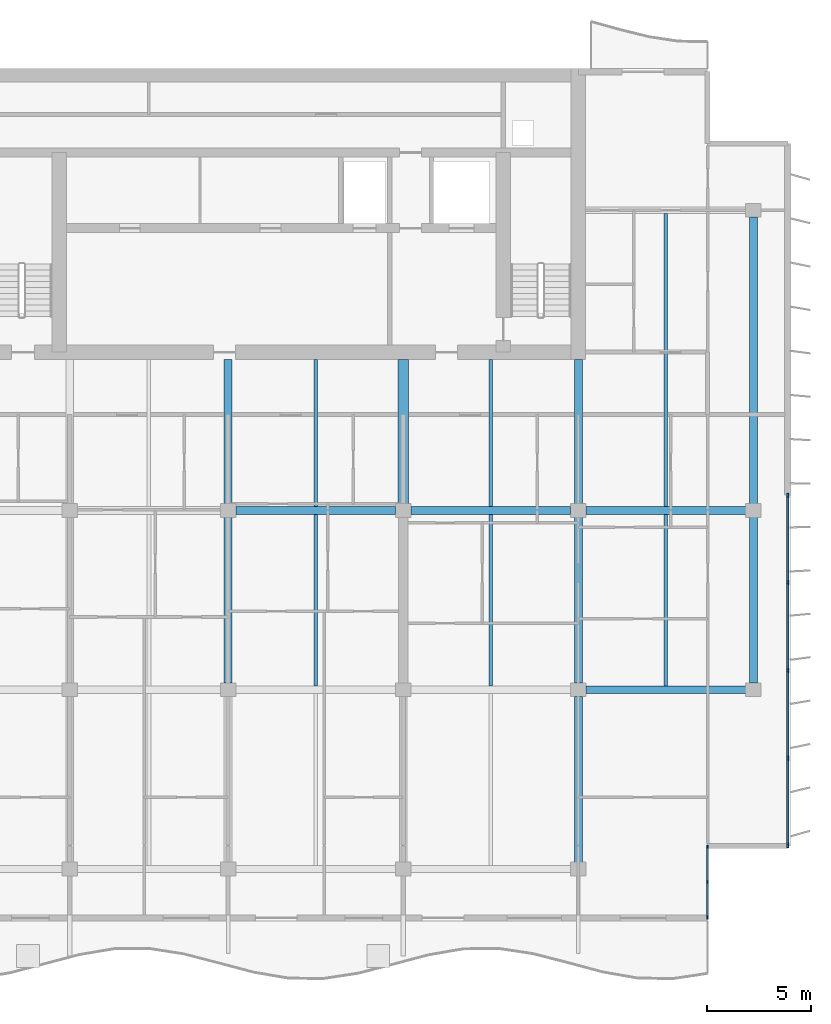
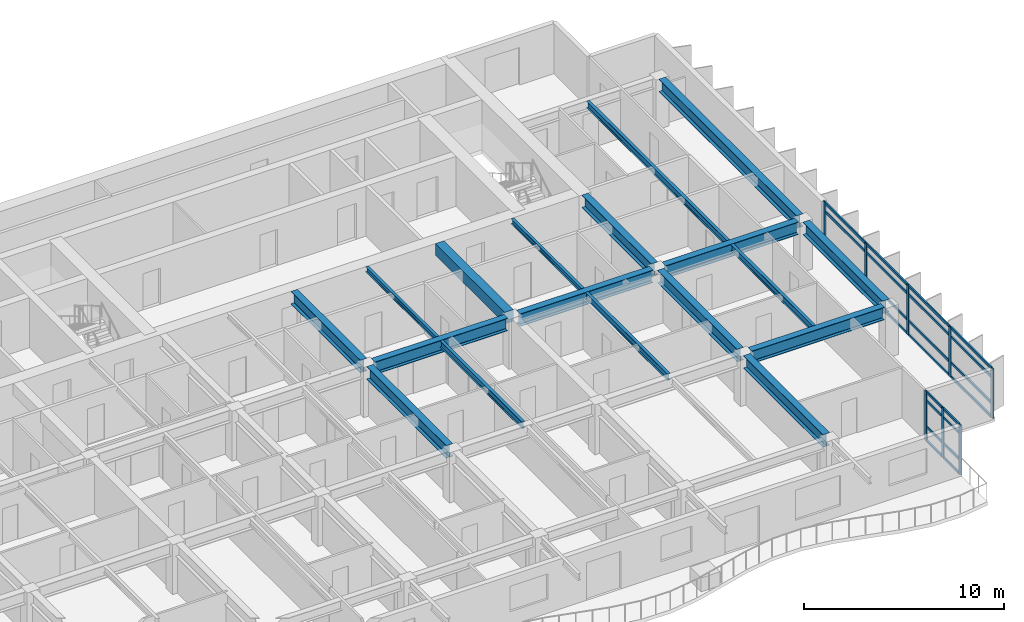
# One storey, part 4 of 16: 32 members, 18 beams, 2 elements without a shape of their own.
"""IFC4 building model written with IfcOpenShell, lengths in metres."""

from ifc_helpers import new_model, si_unit, direction, frame, origin, origin_2d, place, context, subcontext, project, spatial, rectangle, i_section, extrude, material, layer, layer_set, material_profile, profile_set, type_object, element, aggregate, save


model = new_model("IFC4")

# Units and contexts
model_context = context("Model", 3, precision=1e-05, world=origin(), true_north=direction((0.0, 1.0)))
body_context = subcontext(model_context, "Body", "Model", "MODEL_VIEW")
ifc_project = project(units=[si_unit("LENGTHUNIT", "METRE"), si_unit("AREAUNIT", "SQUARE_METRE"), si_unit("VOLUMEUNIT", "CUBIC_METRE"), si_unit("PLANEANGLEUNIT", "RADIAN"), si_unit("MASSUNIT", "GRAM", prefix="KILO")], contexts=[model_context])

# Site, building, storey
site_placement = place(None, origin())
site = spatial("IfcSite", under=ifc_project, at=site_placement, CompositionType="ELEMENT")
building_placement = place(site_placement, origin())
building = spatial("IfcBuilding", under=site, at=building_placement, Name="Caelmar Bay Residences", CompositionType="ELEMENT")
storey_placement = place(building_placement, frame((0.0, 0.0, 239.699951171875)))
storey = spatial("IfcBuildingStorey", under=building, at=storey_placement, Name="L67", CompositionType="ELEMENT", Elevation=239.699951171875)

# Beams
ifc_material_1 = material(Name="Steel ASTM A992 Grade 50", Category="steel")
ifc_material_profile_1 = material_profile(ifc_material_1, i_section(OverallWidth=0.177978515625, OverallDepth=0.406005859375, WebThickness=0.0078125, FlangeThickness=0.0126953125, FilletRadius=0.0087890625, at=origin_2d()), Name="W16X40")
ifc_profile_set_1 = profile_set([ifc_material_profile_1], Name="Steel ASTM A992 Grade 50")
beam_type_1 = type_object("IfcBeamType", Name="BM-BAL-W16X40", PredefinedType="JOIST", material=ifc_profile_set_1)
for number, where, z_axis, x_axis, name in (
    (1, (46.89990234375, 20.990478515625, 2.84716796875), (0.0, 1.0, 0.0), (-1.0, 0.0, 0.0), "L67 Composite Floor Joist 10"),
    (2, (55.300048828125, 20.990478515625, 2.84716796875), (0.0, 1.0, 0.0), (-1.0, 0.0, 0.0), "L67 Composite Floor Joist 11"),
    (3, (63.699951171875, 20.990478515625, 2.84716796875), (0.0, 1.0, 0.0), (-1.0, 0.0, 0.0), "L67 Composite Floor Joist 12"),
):
    element("IfcBeam", number, at=place(storey_placement, frame(where, z_axis=z_axis, x_axis=x_axis)), inside=storey, type_object=beam_type_1, Name=name, PredefinedType="JOIST", context=body_context, shape_type="SweptSolid", body=[
        extrude(i_section(OverallWidth=0.177978515625, OverallDepth=0.406005859375, WebThickness=0.0078125, FlangeThickness=0.0126953125, FilletRadius=0.0087890625, at=origin_2d()), origin(), (0.0, 0.0, 1.0), 8.218994140625),
    ])
beam_1_placement = place(storey_placement, frame((63.699951171875, 29.590576171875, 2.84716796875), z_axis=(0.0, 1.0, 0.0), x_axis=(-1.0, 0.0, 0.0)))
element("IfcBeam", 4, at=beam_1_placement, inside=storey, type_object=beam_type_1, Name="L67 Composite Floor Joist 19", PredefinedType="JOIST", context=body_context, shape_type="SweptSolid", body=[
    extrude(i_section(OverallWidth=0.177978515625, OverallDepth=0.406005859375, WebThickness=0.0078125, FlangeThickness=0.0126953125, FilletRadius=0.0087890625, at=origin_2d()), origin(), (0.0, 0.0, 1.0), 14.046875),
])
ifc_material_profile_2 = material_profile(ifc_material_1, i_section(OverallWidth=0.381103515625, OverallDepth=0.77197265625, WebThickness=0.0166015625, FlangeThickness=0.027099609375, FilletRadius=0.0166015625, at=origin_2d()), Name="W30X173")
ifc_profile_set_2 = profile_set([ifc_material_profile_2], Name="Steel ASTM A992 Grade 50")
beam_type_2 = type_object("IfcBeamType", Name="BM-GRD-W30X173", PredefinedType="BEAM", material=ifc_profile_set_2)
beam_2_placement = place(storey_placement, frame((59.864990234375, 20.800048828125, 2.6640625), z_axis=(1.0, 0.0, 0.0), x_axis=(0.0, 1.0, 0.0)))
element("IfcBeam", 5, at=beam_2_placement, inside=storey, type_object=beam_type_2, Name="L67 East-West Girder Y=20.80 (59.5-67.9)", PredefinedType="BEAM", context=body_context, shape_type="SweptSolid", body=[
    extrude(i_section(OverallWidth=0.381103515625, OverallDepth=0.77197265625, WebThickness=0.0166015625, FlangeThickness=0.027099609375, FilletRadius=0.0166015625, at=origin_2d()), origin(), (0.0, 0.0, 1.0), 7.669921875),
])
beam_3_placement = place(storey_placement, frame((43.06494140625, 29.39990234375, 2.6640625), z_axis=(1.0, 0.0, 0.0), x_axis=(0.0, 1.0, 0.0)))
element("IfcBeam", 6, at=beam_3_placement, inside=storey, type_object=beam_type_2, Name="L67 East-West Girder Y=29.40 (42.7-51.1)", PredefinedType="BEAM", context=body_context, shape_type="SweptSolid", body=[
    extrude(i_section(OverallWidth=0.381103515625, OverallDepth=0.77197265625, WebThickness=0.0166015625, FlangeThickness=0.027099609375, FilletRadius=0.0166015625, at=origin_2d()), origin(), (0.0, 0.0, 1.0), 7.670166015625),
])
for number, where, z_axis, x_axis, name in (
    (7, (51.465087890625, 29.39990234375, 2.6640625), (1.0, 0.0, 0.0), (0.0, 1.0, 0.0), "L67 East-West Girder Y=29.40 (51.1-59.5)"),
    (8, (59.864990234375, 29.39990234375, 2.6640625), (1.0, 0.0, 0.0), (0.0, 1.0, 0.0), "L67 East-West Girder Y=29.40 (59.5-67.9)"),
):
    element("IfcBeam", number, at=place(storey_placement, frame(where, z_axis=z_axis, x_axis=x_axis)), inside=storey, type_object=beam_type_2, Name=name, PredefinedType="BEAM", context=body_context, shape_type="SweptSolid", body=[
        extrude(i_section(OverallWidth=0.381103515625, OverallDepth=0.77197265625, WebThickness=0.0166015625, FlangeThickness=0.027099609375, FilletRadius=0.0166015625, at=origin_2d()), origin(), (0.0, 0.0, 1.0), 7.669921875),
    ])
beam_4_placement = place(storey_placement, frame((42.699951171875, 29.715087890625, 2.6640625), z_axis=(0.0, 1.0, 0.0), x_axis=(-1.0, 0.0, 0.0)))
element("IfcBeam", 9, at=beam_4_placement, inside=storey, type_object=beam_type_2, Name="L67 Core Tie Girder X=42.70", PredefinedType="BEAM", context=body_context, shape_type="SweptSolid", body=[
    extrude(i_section(OverallWidth=0.381103515625, OverallDepth=0.77197265625, WebThickness=0.0166015625, FlangeThickness=0.027099609375, FilletRadius=0.0166015625, at=origin_2d()), origin(), (0.0, 0.0, 1.0), 6.934814453125),
])
beam_5_placement = place(storey_placement, frame((42.699951171875, 21.114990234375, 2.6640625), z_axis=(0.0, 1.0, 0.0), x_axis=(-1.0, 0.0, 0.0)))
element("IfcBeam", 10, at=beam_5_placement, inside=storey, type_object=beam_type_2, Name="L67 North-South Girder X=42.70 (20.8-29.4)", PredefinedType="BEAM", context=body_context, shape_type="SweptSolid", body=[
    extrude(i_section(OverallWidth=0.381103515625, OverallDepth=0.77197265625, WebThickness=0.0166015625, FlangeThickness=0.027099609375, FilletRadius=0.0166015625, at=origin_2d()), origin(), (0.0, 0.0, 1.0), 7.969970703125),
])
beam_6_placement = place(storey_placement, frame((59.5, 29.715087890625, 2.6640625), z_axis=(0.0, 1.0, 0.0), x_axis=(-1.0, 0.0, 0.0)))
element("IfcBeam", 11, at=beam_6_placement, inside=storey, type_object=beam_type_2, Name="L67 Core Tie Girder X=59.50", PredefinedType="BEAM", context=body_context, shape_type="SweptSolid", body=[
    extrude(i_section(OverallWidth=0.381103515625, OverallDepth=0.77197265625, WebThickness=0.0166015625, FlangeThickness=0.027099609375, FilletRadius=0.0166015625, at=origin_2d()), origin(), (0.0, 0.0, 1.0), 6.934814453125),
])
beam_7_placement = place(storey_placement, frame((59.5, 12.514892578125, 2.6640625), z_axis=(0.0, 1.0, 0.0), x_axis=(-1.0, 0.0, 0.0)))
element("IfcBeam", 12, at=beam_7_placement, inside=storey, type_object=beam_type_2, Name="L67 North-South Girder X=59.50 (12.2-20.8)", PredefinedType="BEAM", context=body_context, shape_type="SweptSolid", body=[
    extrude(i_section(OverallWidth=0.381103515625, OverallDepth=0.77197265625, WebThickness=0.0166015625, FlangeThickness=0.027099609375, FilletRadius=0.0166015625, at=origin_2d()), origin(), (0.0, 0.0, 1.0), 7.97021484375),
])
for number, where, z_axis, x_axis, name in (
    (13, (59.5, 21.114990234375, 2.6640625), (0.0, 1.0, 0.0), (-1.0, 0.0, 0.0), "L67 North-South Girder X=59.50 (20.8-29.4)"),
    (14, (67.89990234375, 21.114990234375, 2.6640625), (0.0, 1.0, 0.0), (-1.0, 0.0, 0.0), "L67 North-South Girder X=67.90 (20.8-29.4)"),
):
    element("IfcBeam", number, at=place(storey_placement, frame(where, z_axis=z_axis, x_axis=x_axis)), inside=storey, type_object=beam_type_2, Name=name, PredefinedType="BEAM", context=body_context, shape_type="SweptSolid", body=[
        extrude(i_section(OverallWidth=0.381103515625, OverallDepth=0.77197265625, WebThickness=0.0166015625, FlangeThickness=0.027099609375, FilletRadius=0.0166015625, at=origin_2d()), origin(), (0.0, 0.0, 1.0), 7.969970703125),
    ])
beam_8_placement = place(storey_placement, frame((67.89990234375, 29.715087890625, 2.6640625), z_axis=(0.0, 1.0, 0.0), x_axis=(-1.0, 0.0, 0.0)))
element("IfcBeam", 15, at=beam_8_placement, inside=storey, type_object=beam_type_2, Name="L67 North-South Girder X=67.90 (29.4-43.8)", PredefinedType="BEAM", context=body_context, shape_type="SweptSolid", body=[
    extrude(i_section(OverallWidth=0.381103515625, OverallDepth=0.77197265625, WebThickness=0.0166015625, FlangeThickness=0.027099609375, FilletRadius=0.0166015625, at=origin_2d()), origin(), (0.0, 0.0, 1.0), 13.77001953125),
])
ifc_material_profile_3 = material_profile(ifc_material_1, i_section(OverallWidth=0.1650390625, OverallDepth=0.31005859375, WebThickness=0.005859375, FlangeThickness=0.009765625, FilletRadius=0.007568359375, at=origin_2d()), Name="W12X26")
ifc_profile_set_3 = profile_set([ifc_material_profile_3], Name="Steel ASTM A992 Grade 50")
beam_type_3 = type_object("IfcBeamType", Name="BM-JST-W12X26", PredefinedType="JOIST", material=ifc_profile_set_3)
for number, where, z_axis, x_axis, name in (
    (16, (46.89990234375, 29.590576171875, 2.89501953125), (0.0, 1.0, 0.0), (-1.0, 0.0, 0.0), "L67 Core-Band Composite Joist 16"),
    (17, (55.300048828125, 29.590576171875, 2.89501953125), (0.0, 1.0, 0.0), (-1.0, 0.0, 0.0), "L67 Core-Band Composite Joist 17"),
):
    element("IfcBeam", number, at=place(storey_placement, frame(where, z_axis=z_axis, x_axis=x_axis)), inside=storey, type_object=beam_type_3, Name=name, PredefinedType="JOIST", context=body_context, shape_type="SweptSolid", body=[
        extrude(i_section(OverallWidth=0.1650390625, OverallDepth=0.31005859375, WebThickness=0.005859375, FlangeThickness=0.009765625, FilletRadius=0.007568359375, at=origin_2d()), origin(), (0.0, 0.0, 1.0), 7.059326171875),
    ])
ifc_material_2 = material(Name="Concrete f'c 55 MPa (8,000 psi)", Category="concrete")
ifc_material_profile_4 = material_profile(ifc_material_2, rectangle(XDim=0.5, YDim=0.699951171875, at=origin_2d()), Name="RC-BM-500X700")
ifc_profile_set_4 = profile_set([ifc_material_profile_4], Name="Concrete f'c 55 MPa (8,000 psi)")
beam_type_4 = type_object("IfcBeamType", Name="BM-RC-500X700", PredefinedType="LINTEL", material=ifc_profile_set_4)
beam_9_placement = place(storey_placement, frame((51.10009765625, 29.715087890625, 2.699951171875), z_axis=(0.0, 1.0, 0.0), x_axis=(-1.0, 0.0, 0.0)))
element("IfcBeam", 18, at=beam_9_placement, inside=storey, type_object=beam_type_4, Name="L67 Shear-Wall Corridor Coupling Lintel E8", PredefinedType="LINTEL", context=body_context, shape_type="SweptSolid", body=[
    extrude(rectangle(XDim=0.5, YDim=0.699951171875, at=origin_2d()), origin(), (0.0, 0.0, 1.0), 6.934814453125),
])

# Curtain wall, members
ifc_material_3 = material(Name="Anodised bronze aluminium 6063-T6 and laminated glass", Category="aluminium")
ifc_layer_1 = layer(ifc_material_3, 0.179931640625)
ifc_layer_set_1 = layer_set([ifc_layer_1], Name="Anodised bronze aluminium 6063-T6 and laminated glass")
curtain_wall_type_1 = type_object("IfcCurtainWallType", Name="CW6-NTC", PredefinedType="NOTDEFINED", material=ifc_layer_set_1)
curtain_wall_1_placement = place(storey_placement, origin())
curtain_wall_1 = element("IfcCurtainWall", 19, at=curtain_wall_1_placement, inside=storey, type_object=curtain_wall_type_1, Name="CW6 curtain wall L67", PredefinedType="NOTDEFINED")
ifc_material_4 = material(Name="Anodised bronze aluminium 6063-T6", Category="aluminium")
ifc_material_profile_5 = material_profile(ifc_material_4, rectangle(XDim=0.080078125, YDim=0.179931640625, at=origin_2d()), Name="CWM-80X180")
ifc_profile_set_5 = profile_set([ifc_material_profile_5], Name="Anodised bronze aluminium 6063-T6")
member_type_1 = type_object("IfcMemberType", Name="CWM-180", PredefinedType="MULLION", material=ifc_profile_set_5)
member_1_placement = place(storey_placement, frame((65.699951171875, 9.889892578125, 0.0), z_axis=(0.0, 0.0, 1.0), x_axis=(-1.0, 0.0, 0.0)))
member_1 = element("IfcMember", 20, at=member_1_placement, type_object=member_type_1, Name="CW6 mullion 1", PredefinedType="MULLION", context=body_context, shape_type="SweptSolid", body=[
    extrude(rectangle(XDim=0.080078125, YDim=0.179931640625, at=origin_2d()), origin(), (0.0, 0.0, 1.0), 3.050048828125),
])
member_2_placement = place(storey_placement, frame((65.699951171875, 11.574951171875, 0.0), z_axis=(0.0, 0.0, 1.0), x_axis=(-1.0, 0.0, 0.0)))
member_2 = element("IfcMember", 21, at=member_2_placement, type_object=member_type_1, Name="CW6 mullion 2", PredefinedType="MULLION", context=body_context, shape_type="SweptSolid", body=[
    extrude(rectangle(XDim=0.080078125, YDim=0.179931640625, at=origin_2d()), origin(), (0.0, 0.0, 1.0), 3.050048828125),
])
member_3_placement = place(storey_placement, frame((65.699951171875, 13.260009765625, 0.0), z_axis=(0.0, 0.0, 1.0), x_axis=(-1.0, 0.0, 0.0)))
member_3 = element("IfcMember", 22, at=member_3_placement, type_object=member_type_1, Name="CW6 mullion 3", PredefinedType="MULLION", context=body_context, shape_type="SweptSolid", body=[
    extrude(rectangle(XDim=0.080078125, YDim=0.179931640625, at=origin_2d()), origin(), (0.0, 0.0, 1.0), 3.050048828125),
])

ifc_layer_2 = layer(ifc_material_3, 0.179931640625)
ifc_layer_set_2 = layer_set([ifc_layer_2], Name="Anodised bronze aluminium 6063-T6 and laminated glass")
curtain_wall_type_2 = type_object("IfcCurtainWallType", Name="CW5-Z4", PredefinedType="NOTDEFINED", material=ifc_layer_set_2)
curtain_wall_2_placement = place(storey_placement, origin())
curtain_wall_2 = element("IfcCurtainWall", 23, at=curtain_wall_2_placement, inside=storey, type_object=curtain_wall_type_2, Name="CW5 curtain wall L67", PredefinedType="NOTDEFINED")
ifc_material_profile_6 = material_profile(ifc_material_4, rectangle(XDim=0.080078125, YDim=0.219970703125, at=origin_2d()), Name="CWM-80X220")
ifc_profile_set_6 = profile_set([ifc_material_profile_6], Name="Anodised bronze aluminium 6063-T6")
member_type_2 = type_object("IfcMemberType", Name="CWM-220", PredefinedType="MULLION", material=ifc_profile_set_6)
member_4_placement = place(storey_placement, frame((69.550048828125, 30.110107421875, 0.0), z_axis=(0.0, 0.0, 1.0), x_axis=(1.0, 0.0, 0.0)))
member_4 = element("IfcMember", 24, at=member_4_placement, type_object=member_type_2, Name="CW5 mullion 1", PredefinedType="MULLION", context=body_context, shape_type="SweptSolid", body=[
    extrude(rectangle(XDim=0.080078125, YDim=0.219970703125, at=origin_2d()), origin(), (0.0, 0.0, 1.0), 3.050048828125),
])
member_5_placement = place(storey_placement, frame((69.550048828125, 25.9375, 0.0), z_axis=(0.0, 0.0, 1.0), x_axis=(1.0, 0.0, 0.0)))
member_5 = element("IfcMember", 25, at=member_5_placement, type_object=member_type_2, Name="CW5 mullion 2", PredefinedType="MULLION", context=body_context, shape_type="SweptSolid", body=[
    extrude(rectangle(XDim=0.080078125, YDim=0.219970703125, at=origin_2d()), origin(), (0.0, 0.0, 1.0), 3.050048828125),
])
member_6_placement = place(storey_placement, frame((69.550048828125, 21.72509765625, 0.0), z_axis=(0.0, 0.0, 1.0), x_axis=(1.0, 0.0, 0.0)))
member_6 = element("IfcMember", 26, at=member_6_placement, type_object=member_type_2, Name="CW5 mullion 3", PredefinedType="MULLION", context=body_context, shape_type="SweptSolid", body=[
    extrude(rectangle(XDim=0.080078125, YDim=0.219970703125, at=origin_2d()), origin(), (0.0, 0.0, 1.0), 3.050048828125),
])
member_7_placement = place(storey_placement, frame((69.550048828125, 17.512451171875, 0.0), z_axis=(0.0, 0.0, 1.0), x_axis=(1.0, 0.0, 0.0)))
member_7 = element("IfcMember", 27, at=member_7_placement, type_object=member_type_2, Name="CW5 mullion 4", PredefinedType="MULLION", context=body_context, shape_type="SweptSolid", body=[
    extrude(rectangle(XDim=0.080078125, YDim=0.219970703125, at=origin_2d()), origin(), (0.0, 0.0, 1.0), 3.050048828125),
])
member_8_placement = place(storey_placement, frame((69.550048828125, 13.340087890625, 0.0), z_axis=(0.0, 0.0, 1.0), x_axis=(1.0, 0.0, 0.0)))
member_8 = element("IfcMember", 28, at=member_8_placement, type_object=member_type_2, Name="CW5 mullion 5", PredefinedType="MULLION", context=body_context, shape_type="SweptSolid", body=[
    extrude(rectangle(XDim=0.080078125, YDim=0.219970703125, at=origin_2d()), origin(), (0.0, 0.0, 1.0), 3.050048828125),
])

# Member
ifc_material_profile_7 = material_profile(ifc_material_4, rectangle(XDim=0.080078125, YDim=0.139892578125, at=origin_2d()), Name="CWT-80X140")
ifc_profile_set_7 = profile_set([ifc_material_profile_7], Name="Anodised bronze aluminium 6063-T6")
member_type_3 = type_object("IfcMemberType", Name="CWT-140", PredefinedType="NOTDEFINED", material=ifc_profile_set_7)
member_9_placement = place(storey_placement, frame((65.699951171875, 9.929931640625, 0.0400390625), z_axis=(0.0, 1.0, 0.0), x_axis=(-1.0, 0.0, 0.0)))
member_9 = element("IfcMember", 29, at=member_9_placement, type_object=member_type_3, Name="CW6 transom 1.1", ObjectType="TRANSOM", PredefinedType="USERDEFINED", context=body_context, shape_type="SweptSolid", body=[
    extrude(rectangle(XDim=0.080078125, YDim=0.139892578125, at=origin_2d()), origin(), (0.0, 0.0, 1.0), 1.60498046875),
])

member_10_placement = place(storey_placement, frame((65.699951171875, 9.929931640625, 0.900146484375), z_axis=(0.0, 1.0, 0.0), x_axis=(-1.0, 0.0, 0.0)))
member_10 = element("IfcMember", 30, at=member_10_placement, type_object=member_type_3, Name="CW6 transom 1.2", ObjectType="TRANSOM", PredefinedType="USERDEFINED", context=body_context, shape_type="SweptSolid", body=[
    extrude(rectangle(XDim=0.080078125, YDim=0.139892578125, at=origin_2d()), origin(), (0.0, 0.0, 1.0), 1.60498046875),
])

member_11_placement = place(storey_placement, frame((65.699951171875, 9.929931640625, 2.5), z_axis=(0.0, 1.0, 0.0), x_axis=(-1.0, 0.0, 0.0)))
member_11 = element("IfcMember", 31, at=member_11_placement, type_object=member_type_3, Name="CW6 transom 1.3", ObjectType="TRANSOM", PredefinedType="USERDEFINED", context=body_context, shape_type="SweptSolid", body=[
    extrude(rectangle(XDim=0.080078125, YDim=0.139892578125, at=origin_2d()), origin(), (0.0, 0.0, 1.0), 1.60498046875),
])

member_12_placement = place(storey_placement, frame((65.699951171875, 9.929931640625, 3.010009765625), z_axis=(0.0, 1.0, 0.0), x_axis=(-1.0, 0.0, 0.0)))
member_12 = element("IfcMember", 32, at=member_12_placement, type_object=member_type_3, Name="CW6 transom 1.4", ObjectType="TRANSOM", PredefinedType="USERDEFINED", context=body_context, shape_type="SweptSolid", body=[
    extrude(rectangle(XDim=0.080078125, YDim=0.139892578125, at=origin_2d()), origin(), (0.0, 0.0, 1.0), 1.60498046875),
])

member_13_placement = place(storey_placement, frame((65.699951171875, 11.614990234375, 0.0400390625), z_axis=(0.0, 1.0, 0.0), x_axis=(-1.0, 0.0, 0.0)))
member_13 = element("IfcMember", 33, at=member_13_placement, type_object=member_type_3, Name="CW6 transom 2.1", ObjectType="TRANSOM", PredefinedType="USERDEFINED", context=body_context, shape_type="SweptSolid", body=[
    extrude(rectangle(XDim=0.080078125, YDim=0.139892578125, at=origin_2d()), origin(), (0.0, 0.0, 1.0), 1.60498046875),
])

member_14_placement = place(storey_placement, frame((65.699951171875, 11.614990234375, 0.900146484375), z_axis=(0.0, 1.0, 0.0), x_axis=(-1.0, 0.0, 0.0)))
member_14 = element("IfcMember", 34, at=member_14_placement, type_object=member_type_3, Name="CW6 transom 2.2", ObjectType="TRANSOM", PredefinedType="USERDEFINED", context=body_context, shape_type="SweptSolid", body=[
    extrude(rectangle(XDim=0.080078125, YDim=0.139892578125, at=origin_2d()), origin(), (0.0, 0.0, 1.0), 1.60498046875),
])

member_15_placement = place(storey_placement, frame((65.699951171875, 11.614990234375, 2.5), z_axis=(0.0, 1.0, 0.0), x_axis=(-1.0, 0.0, 0.0)))
member_15 = element("IfcMember", 35, at=member_15_placement, type_object=member_type_3, Name="CW6 transom 2.3", ObjectType="TRANSOM", PredefinedType="USERDEFINED", context=body_context, shape_type="SweptSolid", body=[
    extrude(rectangle(XDim=0.080078125, YDim=0.139892578125, at=origin_2d()), origin(), (0.0, 0.0, 1.0), 1.60498046875),
])

member_16_placement = place(storey_placement, frame((65.699951171875, 11.614990234375, 3.010009765625), z_axis=(0.0, 1.0, 0.0), x_axis=(-1.0, 0.0, 0.0)))
member_16 = element("IfcMember", 36, at=member_16_placement, type_object=member_type_3, Name="CW6 transom 2.4", ObjectType="TRANSOM", PredefinedType="USERDEFINED", context=body_context, shape_type="SweptSolid", body=[
    extrude(rectangle(XDim=0.080078125, YDim=0.139892578125, at=origin_2d()), origin(), (0.0, 0.0, 1.0), 1.60498046875),
])

aggregate(curtain_wall_1, [member_1, member_2, member_3, member_9, member_10, member_11, member_12, member_13, member_14, member_15, member_16])

ifc_material_profile_8 = material_profile(ifc_material_4, rectangle(XDim=0.080078125, YDim=0.159912109375, at=origin_2d()), Name="CWT-80X160")
ifc_profile_set_8 = profile_set([ifc_material_profile_8], Name="Anodised bronze aluminium 6063-T6")
member_type_4 = type_object("IfcMemberType", Name="CWT-160", PredefinedType="NOTDEFINED", material=ifc_profile_set_8)
member_17_placement = place(storey_placement, frame((69.550048828125, 30.070068359375, 0.0400390625), z_axis=(0.0, -1.0, 0.0), x_axis=(1.0, 0.0, 0.0)))
member_17 = element("IfcMember", 37, at=member_17_placement, type_object=member_type_4, Name="CW5 transom 1.1", ObjectType="TRANSOM", PredefinedType="USERDEFINED", context=body_context, shape_type="SweptSolid", body=[
    extrude(rectangle(XDim=0.080078125, YDim=0.159912109375, at=origin_2d()), origin(), (0.0, 0.0, 1.0), 4.092529296875),
])

member_18_placement = place(storey_placement, frame((69.550048828125, 30.070068359375, 0.900146484375), z_axis=(0.0, -1.0, 0.0), x_axis=(1.0, 0.0, 0.0)))
member_18 = element("IfcMember", 38, at=member_18_placement, type_object=member_type_4, Name="CW5 transom 1.2", ObjectType="TRANSOM", PredefinedType="USERDEFINED", context=body_context, shape_type="SweptSolid", body=[
    extrude(rectangle(XDim=0.080078125, YDim=0.159912109375, at=origin_2d()), origin(), (0.0, 0.0, 1.0), 4.092529296875),
])

member_19_placement = place(storey_placement, frame((69.550048828125, 30.070068359375, 2.5), z_axis=(0.0, -1.0, 0.0), x_axis=(1.0, 0.0, 0.0)))
member_19 = element("IfcMember", 39, at=member_19_placement, type_object=member_type_4, Name="CW5 transom 1.3", ObjectType="TRANSOM", PredefinedType="USERDEFINED", context=body_context, shape_type="SweptSolid", body=[
    extrude(rectangle(XDim=0.080078125, YDim=0.159912109375, at=origin_2d()), origin(), (0.0, 0.0, 1.0), 4.092529296875),
])

member_20_placement = place(storey_placement, frame((69.550048828125, 30.070068359375, 3.010009765625), z_axis=(0.0, -1.0, 0.0), x_axis=(1.0, 0.0, 0.0)))
member_20 = element("IfcMember", 40, at=member_20_placement, type_object=member_type_4, Name="CW5 transom 1.4", ObjectType="TRANSOM", PredefinedType="USERDEFINED", context=body_context, shape_type="SweptSolid", body=[
    extrude(rectangle(XDim=0.080078125, YDim=0.159912109375, at=origin_2d()), origin(), (0.0, 0.0, 1.0), 4.092529296875),
])

member_21_placement = place(storey_placement, frame((69.550048828125, 25.8974609375, 0.0400390625), z_axis=(0.0, -1.0, 0.0), x_axis=(1.0, 0.0, 0.0)))
member_21 = element("IfcMember", 41, at=member_21_placement, type_object=member_type_4, Name="CW5 transom 2.1", ObjectType="TRANSOM", PredefinedType="USERDEFINED", context=body_context, shape_type="SweptSolid", body=[
    extrude(rectangle(XDim=0.080078125, YDim=0.159912109375, at=origin_2d()), origin(), (0.0, 0.0, 1.0), 4.132568359375),
])

member_22_placement = place(storey_placement, frame((69.550048828125, 25.8974609375, 0.900146484375), z_axis=(0.0, -1.0, 0.0), x_axis=(1.0, 0.0, 0.0)))
member_22 = element("IfcMember", 42, at=member_22_placement, type_object=member_type_4, Name="CW5 transom 2.2", ObjectType="TRANSOM", PredefinedType="USERDEFINED", context=body_context, shape_type="SweptSolid", body=[
    extrude(rectangle(XDim=0.080078125, YDim=0.159912109375, at=origin_2d()), origin(), (0.0, 0.0, 1.0), 4.132568359375),
])

member_23_placement = place(storey_placement, frame((69.550048828125, 25.8974609375, 2.5), z_axis=(0.0, -1.0, 0.0), x_axis=(1.0, 0.0, 0.0)))
member_23 = element("IfcMember", 43, at=member_23_placement, type_object=member_type_4, Name="CW5 transom 2.3", ObjectType="TRANSOM", PredefinedType="USERDEFINED", context=body_context, shape_type="SweptSolid", body=[
    extrude(rectangle(XDim=0.080078125, YDim=0.159912109375, at=origin_2d()), origin(), (0.0, 0.0, 1.0), 4.132568359375),
])

member_24_placement = place(storey_placement, frame((69.550048828125, 25.8974609375, 3.010009765625), z_axis=(0.0, -1.0, 0.0), x_axis=(1.0, 0.0, 0.0)))
member_24 = element("IfcMember", 44, at=member_24_placement, type_object=member_type_4, Name="CW5 transom 2.4", ObjectType="TRANSOM", PredefinedType="USERDEFINED", context=body_context, shape_type="SweptSolid", body=[
    extrude(rectangle(XDim=0.080078125, YDim=0.159912109375, at=origin_2d()), origin(), (0.0, 0.0, 1.0), 4.132568359375),
])

member_25_placement = place(storey_placement, frame((69.550048828125, 21.68505859375, 0.0400390625), z_axis=(0.0, -1.0, 0.0), x_axis=(1.0, 0.0, 0.0)))
member_25 = element("IfcMember", 45, at=member_25_placement, type_object=member_type_4, Name="CW5 transom 3.1", ObjectType="TRANSOM", PredefinedType="USERDEFINED", context=body_context, shape_type="SweptSolid", body=[
    extrude(rectangle(XDim=0.080078125, YDim=0.159912109375, at=origin_2d()), origin(), (0.0, 0.0, 1.0), 4.132568359375),
])

member_26_placement = place(storey_placement, frame((69.550048828125, 21.68505859375, 0.900146484375), z_axis=(0.0, -1.0, 0.0), x_axis=(1.0, 0.0, 0.0)))
member_26 = element("IfcMember", 46, at=member_26_placement, type_object=member_type_4, Name="CW5 transom 3.2", ObjectType="TRANSOM", PredefinedType="USERDEFINED", context=body_context, shape_type="SweptSolid", body=[
    extrude(rectangle(XDim=0.080078125, YDim=0.159912109375, at=origin_2d()), origin(), (0.0, 0.0, 1.0), 4.132568359375),
])

member_27_placement = place(storey_placement, frame((69.550048828125, 21.68505859375, 2.5), z_axis=(0.0, -1.0, 0.0), x_axis=(1.0, 0.0, 0.0)))
member_27 = element("IfcMember", 47, at=member_27_placement, type_object=member_type_4, Name="CW5 transom 3.3", ObjectType="TRANSOM", PredefinedType="USERDEFINED", context=body_context, shape_type="SweptSolid", body=[
    extrude(rectangle(XDim=0.080078125, YDim=0.159912109375, at=origin_2d()), origin(), (0.0, 0.0, 1.0), 4.132568359375),
])

member_28_placement = place(storey_placement, frame((69.550048828125, 21.68505859375, 3.010009765625), z_axis=(0.0, -1.0, 0.0), x_axis=(1.0, 0.0, 0.0)))
member_28 = element("IfcMember", 48, at=member_28_placement, type_object=member_type_4, Name="CW5 transom 3.4", ObjectType="TRANSOM", PredefinedType="USERDEFINED", context=body_context, shape_type="SweptSolid", body=[
    extrude(rectangle(XDim=0.080078125, YDim=0.159912109375, at=origin_2d()), origin(), (0.0, 0.0, 1.0), 4.132568359375),
])

member_29_placement = place(storey_placement, frame((69.550048828125, 17.472412109375, 0.0400390625), z_axis=(0.0, -1.0, 0.0), x_axis=(1.0, 0.0, 0.0)))
member_29 = element("IfcMember", 49, at=member_29_placement, type_object=member_type_4, Name="CW5 transom 4.1", ObjectType="TRANSOM", PredefinedType="USERDEFINED", context=body_context, shape_type="SweptSolid", body=[
    extrude(rectangle(XDim=0.080078125, YDim=0.159912109375, at=origin_2d()), origin(), (0.0, 0.0, 1.0), 4.092529296875),
])

member_30_placement = place(storey_placement, frame((69.550048828125, 17.472412109375, 0.900146484375), z_axis=(0.0, -1.0, 0.0), x_axis=(1.0, 0.0, 0.0)))
member_30 = element("IfcMember", 50, at=member_30_placement, type_object=member_type_4, Name="CW5 transom 4.2", ObjectType="TRANSOM", PredefinedType="USERDEFINED", context=body_context, shape_type="SweptSolid", body=[
    extrude(rectangle(XDim=0.080078125, YDim=0.159912109375, at=origin_2d()), origin(), (0.0, 0.0, 1.0), 4.092529296875),
])

member_31_placement = place(storey_placement, frame((69.550048828125, 17.472412109375, 2.5), z_axis=(0.0, -1.0, 0.0), x_axis=(1.0, 0.0, 0.0)))
member_31 = element("IfcMember", 51, at=member_31_placement, type_object=member_type_4, Name="CW5 transom 4.3", ObjectType="TRANSOM", PredefinedType="USERDEFINED", context=body_context, shape_type="SweptSolid", body=[
    extrude(rectangle(XDim=0.080078125, YDim=0.159912109375, at=origin_2d()), origin(), (0.0, 0.0, 1.0), 4.092529296875),
])

member_32_placement = place(storey_placement, frame((69.550048828125, 17.472412109375, 3.010009765625), z_axis=(0.0, -1.0, 0.0), x_axis=(1.0, 0.0, 0.0)))
member_32 = element("IfcMember", 52, at=member_32_placement, type_object=member_type_4, Name="CW5 transom 4.4", ObjectType="TRANSOM", PredefinedType="USERDEFINED", context=body_context, shape_type="SweptSolid", body=[
    extrude(rectangle(XDim=0.080078125, YDim=0.159912109375, at=origin_2d()), origin(), (0.0, 0.0, 1.0), 4.092529296875),
])

aggregate(curtain_wall_2, [member_4, member_5, member_6, member_7, member_8, member_17, member_18, member_19, member_20, member_21, member_22, member_23, member_24, member_25, member_26, member_27, member_28, member_29, member_30, member_31, member_32])

save(model, "model.ifc")
